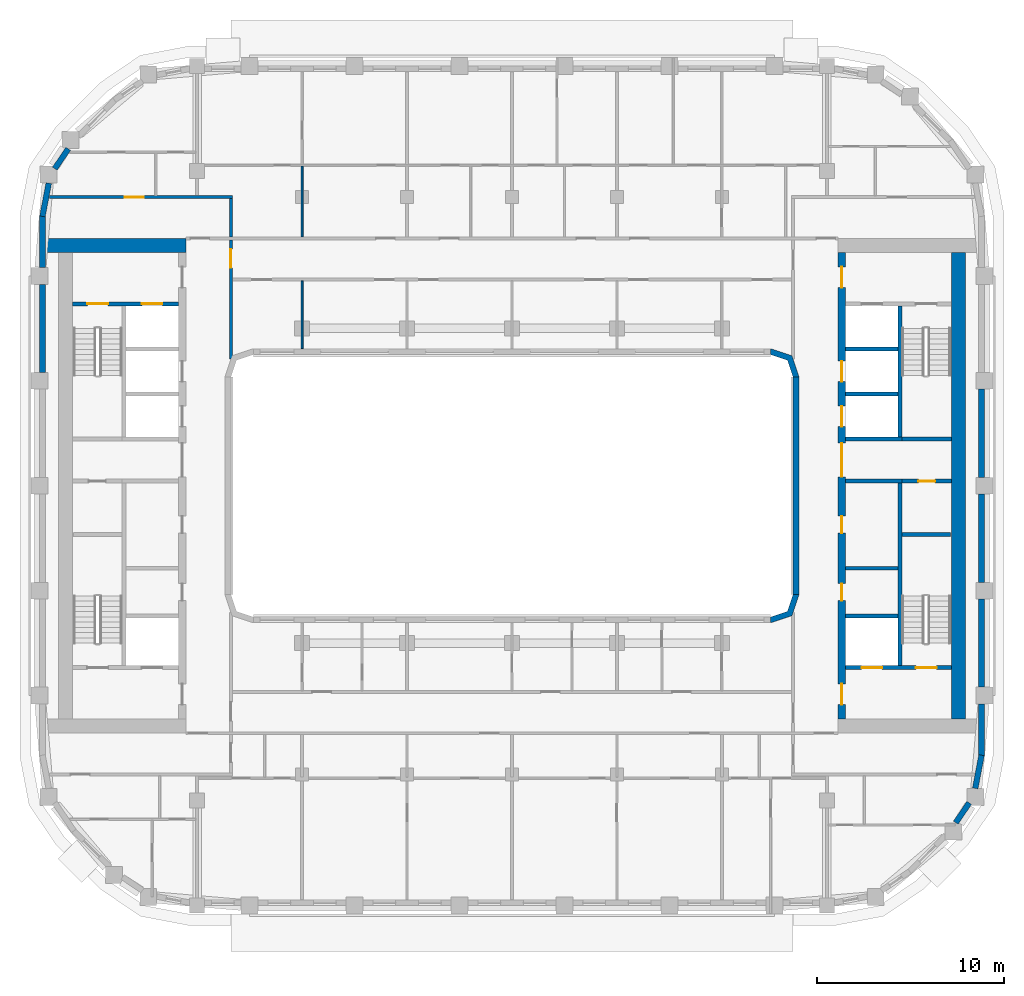
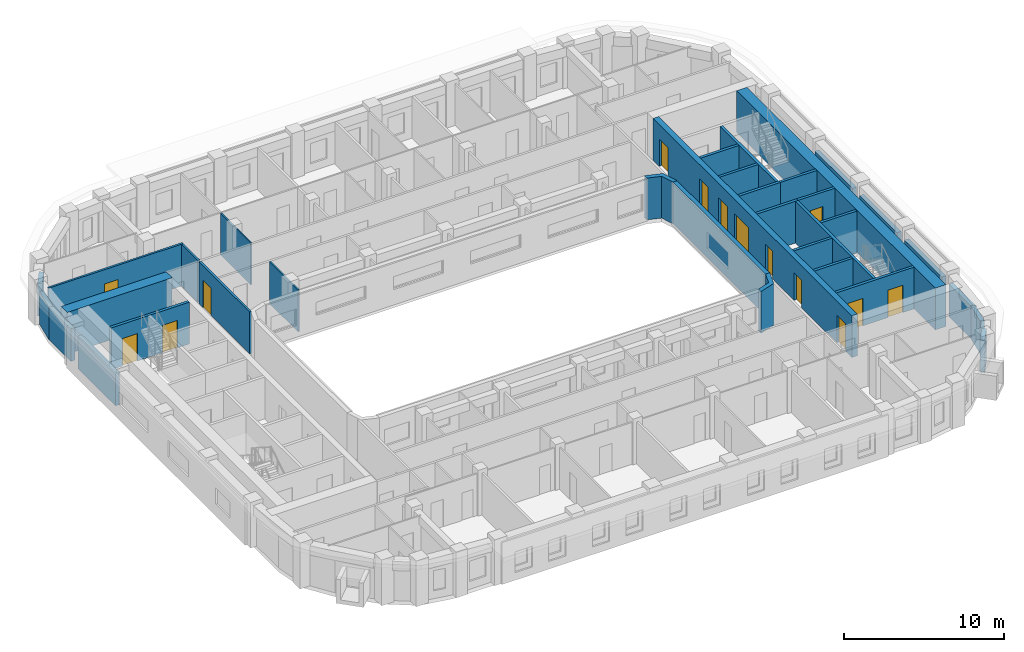
# One storey, part 6 of 21: 34 walls, 14 doors, 14 openings.
"""IFC4 building model written with IfcOpenShell, lengths in metres."""

from ifc_helpers import new_model, si_unit, direction, frame, frame_2d, origin, place, context, subcontext, project, spatial, polyline, rectangle, outline, extrude, material, layer, layer_set, type_object, element, fill, save


model = new_model("IFC4")

# Units and contexts
model_context = context("Model", 3, precision=1e-05, world=origin(), true_north=direction((0.0, 1.0)))
body_context = subcontext(model_context, "Body", "Model", "MODEL_VIEW")
ifc_project = project(units=[si_unit("LENGTHUNIT", "METRE"), si_unit("AREAUNIT", "SQUARE_METRE"), si_unit("VOLUMEUNIT", "CUBIC_METRE"), si_unit("PLANEANGLEUNIT", "RADIAN"), si_unit("MASSUNIT", "GRAM", prefix="KILO")], contexts=[model_context])

# Site, building, storey
site_placement = place(None, origin())
site = spatial("IfcSite", under=ifc_project, at=site_placement, CompositionType="ELEMENT")
building_placement = place(site_placement, origin())
building = spatial("IfcBuilding", under=site, at=building_placement, Name="Kiln Ring Residences", CompositionType="ELEMENT")
storey_placement = place(building_placement, frame((0.0, 0.0, 195.89990234375)))
storey = spatial("IfcBuildingStorey", under=building, at=storey_placement, Name="L50", CompositionType="ELEMENT", Elevation=195.89990234375)

# Wall, opening, door
ifc_material_1 = material(Name="Gypsum board on steel studs", Category="steel")
ifc_layer_1 = layer(ifc_material_1, 0.199951171875)
ifc_layer_set_1 = layer_set([ifc_layer_1], Name="CORE-PARTITION-200")
wall_type_1 = type_object("IfcWallType", Name="CORE-PARTITION-200", PredefinedType="PARTITIONING", material=ifc_layer_set_1)
wall_1_placement = place(storey_placement, frame((20.800048828125, 0.25, 0.0), z_axis=(0.0, 0.0, 1.0), x_axis=(1.0, 0.0, 0.0)))
wall_1 = element("IfcWall", 1, at=wall_1_placement, inside=storey, type_object=wall_type_1, Name="Core partition east L50 1", PredefinedType="PARTITIONING", context=body_context, shape_type="SweptSolid", body=[
    extrude(rectangle(XDim=2.64990234375, YDim=0.199951171875, at=frame_2d((1.324951171875, 0.0))), origin(), (0.0, 0.0, 1.0), 3.2001953125),
])
opening_1_placement = place(wall_1_placement, frame((0.875, 0.0, 0.0)))
opening_1 = element("IfcOpeningElement", 2, at=opening_1_placement, cuts=wall_1, Name="Opening L50-CE12", PredefinedType="OPENING", context=body_context, shape_type="SweptSolid", body=[
    extrude(rectangle(XDim=0.89990234375, YDim=2.10009765625, at=frame_2d((0.449951171875, 1.050048828125))), frame((0.0, 0.10986328125, 0.0), z_axis=(0.0, -1.0, 0.0), x_axis=(1.0, 0.0, 0.0)), (0.0, 0.0, 1.0), 0.219970703125),
])
ifc_material_2 = material(Name="Steel door leaf", Category="steel")
door_type_1 = type_object("IfcDoorType", Name="CORE-DOOR-ROOM", OperationType="SINGLE_SWING_LEFT", PredefinedType="DOOR", material=ifc_material_2)
door_1_placement = place(opening_1_placement, origin())
door_1 = element("IfcDoor", 3, at=door_1_placement, inside=storey, type_object=door_type_1, Name="Electrical riser room L50-CE12", OperationType="SINGLE_SWING_LEFT", OverallHeight=2.10009765625, OverallWidth=0.89990234375, PredefinedType="DOOR", context=body_context, shape_type="SweptSolid", body=[
    extrude(rectangle(XDim=0.89990234375, YDim=2.10009765625, at=frame_2d((0.449951171875, 1.050048828125))), frame((0.0, 0.02490234375, 0.0), z_axis=(0.0, -1.0, 0.0), x_axis=(1.0, 0.0, 0.0)), (0.0, 0.0, 1.0), 0.050048828125),
])
fill(opening_1, door_1)

# Walls
wall_2_placement = place(storey_placement, frame((17.800048828125, -4.39990234375, 0.0), z_axis=(0.0, 0.0, 1.0), x_axis=(1.0, 0.0, 0.0)))
element("IfcWall", 4, at=wall_2_placement, inside=storey, type_object=wall_type_1, Name="Core partition east L50 2", PredefinedType="PARTITIONING", context=body_context, shape_type="SweptSolid", body=[
    extrude(rectangle(XDim=2.800048828125, YDim=0.199951171875, at=frame_2d((1.39990234375, 0.0))), origin(), (0.0, 0.0, 1.0), 3.2001953125),
])
ifc_material_3 = material(Name="Gypsum shaft wall system")
ifc_layer_2 = layer(ifc_material_3, 0.199951171875)
ifc_layer_set_2 = layer_set([ifc_layer_2], Name="CORE-SHAFT-WALL-200")
wall_type_2 = type_object("IfcWallType", Name="CORE-SHAFT-WALL-200", PredefinedType="PARTITIONING", material=ifc_layer_set_2)
wall_3_placement = place(storey_placement, frame((17.800048828125, -6.949951171875, 0.0), z_axis=(0.0, 0.0, 1.0), x_axis=(1.0, 0.0, 0.0)))
element("IfcWall", 5, at=wall_3_placement, inside=storey, type_object=wall_type_2, Name="Core partition east L50 3", PredefinedType="PARTITIONING", context=body_context, shape_type="SweptSolid", body=[
    extrude(rectangle(XDim=2.800048828125, YDim=0.199951171875, at=frame_2d((1.39990234375, 0.0))), origin(), (0.0, 0.0, 1.0), 3.2001953125),
])
for number, where, z_axis, x_axis, name in (
    (6, (17.800048828125, 0.25, 0.0), (0.0, 0.0, 1.0), (1.0, 0.0, 0.0), "Core partition east L50 4"),
    (7, (17.800048828125, 2.5, 0.0), (0.0, 0.0, 1.0), (1.0, 0.0, 0.0), "Core partition east L50 5"),
):
    element("IfcWall", number, at=place(storey_placement, frame(where, z_axis=z_axis, x_axis=x_axis)), inside=storey, type_object=wall_type_2, Name=name, PredefinedType="PARTITIONING", context=body_context, shape_type="SweptSolid", body=[
        extrude(rectangle(XDim=3.0, YDim=0.199951171875, at=frame_2d((1.5, 0.0))), origin(), (0.0, 0.0, 1.0), 3.2001953125),
    ])
for number, where, z_axis, x_axis, name in (
    (8, (17.800048828125, 4.89990234375, 0.0), (0.0, 0.0, 1.0), (1.0, 0.0, 0.0), "Core partition east L50 6"),
    (9, (17.800048828125, 7.300048828125, 0.0), (0.0, 0.0, 1.0), (1.0, 0.0, 0.0), "Core partition east L50 7"),
):
    element("IfcWall", number, at=place(storey_placement, frame(where, z_axis=z_axis, x_axis=x_axis)), inside=storey, type_object=wall_type_2, Name=name, PredefinedType="PARTITIONING", context=body_context, shape_type="SweptSolid", body=[
        extrude(rectangle(XDim=2.800048828125, YDim=0.199951171875, at=frame_2d((1.39990234375, 0.0))), origin(), (0.0, 0.0, 1.0), 3.2001953125),
    ])

# Wall, openings, doors
ifc_material_4 = material(Name="Concrete C40/50", Category="concrete")
ifc_layer_3 = layer(ifc_material_4, 0.199951171875)
ifc_layer_set_3 = layer_set([ifc_layer_3], Name="CORE-WALL-RC200")
wall_type_3 = type_object("IfcWallType", Name="CORE-WALL-RC200", PredefinedType="SHEAR", material=ifc_layer_set_3)
wall_4_placement = place(storey_placement, frame((-17.800048828125, 9.699951171875, 0.0), z_axis=(0.0, 0.0, 1.0), x_axis=(-1.0, 0.0, 0.0)))
wall_4 = element("IfcWall", 10, at=wall_4_placement, inside=storey, type_object=wall_type_3, Name="Core wall west L50 9", PredefinedType="SHEAR", context=body_context, shape_type="SweptSolid", body=[
    extrude(rectangle(XDim=5.64990234375, YDim=0.199951171875, at=frame_2d((2.824951171875, 0.0))), origin(), (0.0, 0.0, 1.0), 3.2001953125),
])
opening_2_placement = place(wall_4_placement, frame((0.85009765625, 0.0, 0.0)))
opening_2 = element("IfcOpeningElement", 11, at=opening_2_placement, cuts=wall_4, Name="Opening L50-CW06", PredefinedType="OPENING", context=body_context, shape_type="SweptSolid", body=[
    extrude(rectangle(XDim=1.10009765625, YDim=2.10009765625, at=frame_2d((0.550048828125, 1.050048828125))), frame((0.0, 0.10986328125, 0.0), z_axis=(0.0, -1.0, 0.0), x_axis=(1.0, 0.0, 0.0)), (0.0, 0.0, 1.0), 0.219970703125),
])
opening_3_placement = place(wall_4_placement, frame((3.75, 0.0, 0.0)))
opening_3 = element("IfcOpeningElement", 12, at=opening_3_placement, cuts=wall_4, Name="Opening L50-CW09", PredefinedType="OPENING", context=body_context, shape_type="SweptSolid", body=[
    extrude(rectangle(XDim=1.10009765625, YDim=2.10009765625, at=frame_2d((0.550048828125, 1.050048828125))), frame((0.0, 0.10986328125, 0.0), z_axis=(0.0, -1.0, 0.0), x_axis=(1.0, 0.0, 0.0)), (0.0, 0.0, 1.0), 0.219970703125),
])
ifc_material_5 = material(Name="Steel door leaf", Category="steel")
door_type_2 = type_object("IfcDoorType", Name="CORE-DOOR-LD", OperationType="DOUBLE_DOOR_SLIDING", PredefinedType="DOOR", material=ifc_material_5)
door_2_placement = place(opening_2_placement, origin())
door_2 = element("IfcDoor", 13, at=door_2_placement, inside=storey, type_object=door_type_2, Name="LD W-FF L50-CW06", OperationType="DOUBLE_DOOR_SLIDING", OverallHeight=2.10009765625, OverallWidth=1.10009765625, PredefinedType="DOOR", context=body_context, shape_type="SweptSolid", body=[
    extrude(rectangle(XDim=1.10009765625, YDim=2.10009765625, at=frame_2d((0.550048828125, 1.050048828125))), frame((0.0, 0.02490234375, 0.0), z_axis=(0.0, -1.0, 0.0), x_axis=(1.0, 0.0, 0.0)), (0.0, 0.0, 1.0), 0.050048828125),
])
fill(opening_2, door_2)
ifc_material_6 = material(Name="Steel door leaf", Category="steel")
door_type_3 = type_object("IfcDoorType", Name="CORE-DOOR-STAIR", OperationType="SINGLE_SWING_LEFT", PredefinedType="DOOR", material=ifc_material_6)
door_3_placement = place(opening_3_placement, origin())
door_3 = element("IfcDoor", 14, at=door_3_placement, inside=storey, type_object=door_type_3, Name="Stair W-STN L50-CW09", OperationType="SINGLE_SWING_LEFT", OverallHeight=2.10009765625, OverallWidth=1.10009765625, PredefinedType="DOOR", context=body_context, shape_type="SweptSolid", body=[
    extrude(rectangle(XDim=1.10009765625, YDim=2.10009765625, at=frame_2d((0.550048828125, 1.050048828125))), frame((0.0, 0.02490234375, 0.0), z_axis=(0.0, -1.0, 0.0), x_axis=(1.0, 0.0, 0.0)), (0.0, 0.0, 1.0), 0.050048828125),
])
fill(opening_3, door_3)

# Walls
wall_5_placement = place(storey_placement, frame((20.699951171875, 2.60009765625, 0.0), z_axis=(0.0, 0.0, 1.0), x_axis=(0.0, 1.0, 0.0)))
element("IfcWall", 15, at=wall_5_placement, inside=storey, type_object=wall_type_3, Name="Core wall east L50 1", PredefinedType="SHEAR", context=body_context, shape_type="SweptSolid", body=[
    extrude(rectangle(XDim=7.0, YDim=0.199951171875, at=frame_2d((3.5, 0.0))), origin(), (0.0, 0.0, 1.0), 3.2001953125),
])
wall_6_placement = place(storey_placement, frame((20.699951171875, -9.60009765625, 0.0), z_axis=(0.0, 0.0, 1.0), x_axis=(0.0, 1.0, 0.0)))
element("IfcWall", 16, at=wall_6_placement, inside=storey, type_object=wall_type_3, Name="Core wall east L50 2", PredefinedType="SHEAR", context=body_context, shape_type="SweptSolid", body=[
    extrude(rectangle(XDim=9.75, YDim=0.199951171875, at=frame_2d((4.875, 0.0))), origin(), (0.0, 0.0, 1.0), 3.2001953125),
])
wall_7_placement = place(storey_placement, frame((20.800048828125, 2.5, 0.0), z_axis=(0.0, 0.0, 1.0), x_axis=(1.0, 0.0, 0.0)))
element("IfcWall", 17, at=wall_7_placement, inside=storey, type_object=wall_type_3, Name="Core wall east L50 3", PredefinedType="SHEAR", context=body_context, shape_type="SweptSolid", body=[
    extrude(rectangle(XDim=2.64990234375, YDim=0.199951171875, at=frame_2d((1.324951171875, 0.0))), origin(), (0.0, 0.0, 1.0), 3.2001953125),
])

# Wall, openings, doors
wall_8_placement = place(storey_placement, frame((17.800048828125, -9.699951171875, 0.0), z_axis=(0.0, 0.0, 1.0), x_axis=(1.0, 0.0, 0.0)))
wall_8 = element("IfcWall", 18, at=wall_8_placement, inside=storey, type_object=wall_type_3, Name="Core wall east L50 8", PredefinedType="SHEAR", context=body_context, shape_type="SweptSolid", body=[
    extrude(rectangle(XDim=5.64990234375, YDim=0.199951171875, at=frame_2d((2.824951171875, 0.0))), origin(), (0.0, 0.0, 1.0), 3.2001953125),
])
opening_4_placement = place(wall_8_placement, frame((0.85009765625, 0.0, 0.0)))
opening_4 = element("IfcOpeningElement", 19, at=opening_4_placement, cuts=wall_8, Name="Opening L50-CE01", PredefinedType="OPENING", context=body_context, shape_type="SweptSolid", body=[
    extrude(rectangle(XDim=1.10009765625, YDim=2.10009765625, at=frame_2d((0.550048828125, 1.050048828125))), frame((0.0, 0.10986328125, 0.0), z_axis=(0.0, -1.0, 0.0), x_axis=(1.0, 0.0, 0.0)), (0.0, 0.0, 1.0), 0.219970703125),
])
opening_5_placement = place(wall_8_placement, frame((3.75, 0.0, 0.0)))
opening_5 = element("IfcOpeningElement", 20, at=opening_5_placement, cuts=wall_8, Name="Opening L50-CE10", PredefinedType="OPENING", context=body_context, shape_type="SweptSolid", body=[
    extrude(rectangle(XDim=1.10009765625, YDim=2.10009765625, at=frame_2d((0.550048828125, 1.050048828125))), frame((0.0, 0.10986328125, 0.0), z_axis=(0.0, -1.0, 0.0), x_axis=(1.0, 0.0, 0.0)), (0.0, 0.0, 1.0), 0.219970703125),
])
door_4_placement = place(opening_4_placement, origin())
door_4 = element("IfcDoor", 21, at=door_4_placement, inside=storey, type_object=door_type_2, Name="LD E-SV L50-CE01", OperationType="DOUBLE_DOOR_SLIDING", OverallHeight=2.10009765625, OverallWidth=1.10009765625, PredefinedType="DOOR", context=body_context, shape_type="SweptSolid", body=[
    extrude(rectangle(XDim=1.10009765625, YDim=2.10009765625, at=frame_2d((0.550048828125, 1.050048828125))), frame((0.0, 0.02490234375, 0.0), z_axis=(0.0, -1.0, 0.0), x_axis=(1.0, 0.0, 0.0)), (0.0, 0.0, 1.0), 0.050048828125),
])
fill(opening_4, door_4)
door_5_placement = place(opening_5_placement, origin())
door_5 = element("IfcDoor", 22, at=door_5_placement, inside=storey, type_object=door_type_3, Name="Stair E-STS L50-CE10", OperationType="SINGLE_SWING_RIGHT", OverallHeight=2.10009765625, OverallWidth=1.10009765625, PredefinedType="DOOR", context=body_context, shape_type="SweptSolid", body=[
    extrude(rectangle(XDim=1.10009765625, YDim=2.10009765625, at=frame_2d((0.550048828125, 1.050048828125))), frame((0.0, 0.02490234375, 0.0), z_axis=(0.0, -1.0, 0.0), x_axis=(1.0, 0.0, 0.0)), (0.0, 0.0, 1.0), 0.050048828125),
])
fill(opening_5, door_5)

# Wall
wall_9_placement = place(storey_placement, frame((20.800048828125, -2.60009765625, 0.0), z_axis=(0.0, 0.0, 1.0), x_axis=(1.0, 0.0, 0.0)))
element("IfcWall", 23, at=wall_9_placement, inside=storey, type_object=wall_type_3, Name="Core wall east L50 10", PredefinedType="SHEAR", context=body_context, shape_type="SweptSolid", body=[
    extrude(rectangle(XDim=2.599853515625, YDim=0.199951171875, at=frame_2d((1.2998046875, 0.0))), origin(), (0.0, 0.0, 1.0), 3.2001953125),
])

# Wall, openings, doors
ifc_material_7 = material(Name="Concrete C60/75", Category="concrete")
ifc_layer_4 = layer(ifc_material_7, 0.39990234375)
ifc_layer_set_4 = layer_set([ifc_layer_4], Name="CORE-WALL-RC400")
wall_type_4 = type_object("IfcWallType", Name="CORE-WALL-RC400", PredefinedType="SHEAR", material=ifc_layer_set_4)
wall_10_placement = place(storey_placement, frame((17.60009765625, -12.449951171875, 0.0), z_axis=(0.0, 0.0, 1.0), x_axis=(0.0, 1.0, 0.0)))
wall_10 = element("IfcWall", 24, at=wall_10_placement, inside=storey, type_object=wall_type_4, Name="Core wall east L50 6", PredefinedType="SHEAR", context=body_context, shape_type="SweptSolid", body=[
    extrude(rectangle(XDim=24.89990234375, YDim=0.39990234375, at=frame_2d((12.449951171875, 0.0))), origin(), (0.0, 0.0, 1.0), 3.2001953125),
])
opening_6_placement = place(wall_10_placement, frame((6.324951171875, 0.0, 0.0)))
opening_6 = element("IfcOpeningElement", 25, at=opening_6_placement, cuts=wall_10, Name="Opening L50-CE02", PredefinedType="OPENING", context=body_context, shape_type="SweptSolid", body=[
    extrude(rectangle(XDim=0.89990234375, YDim=2.10009765625, at=frame_2d((0.449951171875, 1.050048828125))), frame((0.0, 0.2099609375, 0.0), z_axis=(0.0, -1.0, 0.0), x_axis=(1.0, 0.0, 0.0)), (0.0, 0.0, 1.0), 0.419921875),
])
opening_7_placement = place(wall_10_placement, frame((9.925048828125, 0.0, 0.0)))
opening_7 = element("IfcOpeningElement", 26, at=opening_7_placement, cuts=wall_10, Name="Opening L50-CE03", PredefinedType="OPENING", context=body_context, shape_type="SweptSolid", body=[
    extrude(rectangle(XDim=0.89990234375, YDim=2.10009765625, at=frame_2d((0.449951171875, 1.050048828125))), frame((0.0, 0.2099609375, 0.0), z_axis=(0.0, -1.0, 0.0), x_axis=(1.0, 0.0, 0.0)), (0.0, 0.0, 1.0), 0.419921875),
])
opening_8_placement = place(wall_10_placement, frame((15.60009765625, 0.0, 0.0)))
opening_8 = element("IfcOpeningElement", 27, at=opening_8_placement, cuts=wall_10, Name="Opening L50-CE04", PredefinedType="OPENING", context=body_context, shape_type="SweptSolid", body=[
    extrude(rectangle(XDim=1.10009765625, YDim=2.10009765625, at=frame_2d((0.550048828125, 1.050048828125))), frame((0.0, 0.2099609375, 0.0), z_axis=(0.0, -1.0, 0.0), x_axis=(1.0, 0.0, 0.0)), (0.0, 0.0, 1.0), 0.419921875),
])
opening_9_placement = place(wall_10_placement, frame((18.0, 0.0, 0.0)))
opening_9 = element("IfcOpeningElement", 28, at=opening_9_placement, cuts=wall_10, Name="Opening L50-CE05", PredefinedType="OPENING", context=body_context, shape_type="SweptSolid", body=[
    extrude(rectangle(XDim=1.10009765625, YDim=2.10009765625, at=frame_2d((0.550048828125, 1.050048828125))), frame((0.0, 0.2099609375, 0.0), z_axis=(0.0, -1.0, 0.0), x_axis=(1.0, 0.0, 0.0)), (0.0, 0.0, 1.0), 0.419921875),
])
opening_10_placement = place(wall_10_placement, frame((23.02490234375, 0.0, 0.0)))
opening_10 = element("IfcOpeningElement", 29, at=opening_10_placement, cuts=wall_10, Name="Opening L50-CE07", PredefinedType="OPENING", context=body_context, shape_type="SweptSolid", body=[
    extrude(rectangle(XDim=1.10009765625, YDim=2.10009765625, at=frame_2d((0.550048828125, 1.050048828125))), frame((0.0, 0.2099609375, 0.0), z_axis=(0.0, -1.0, 0.0), x_axis=(1.0, 0.0, 0.0)), (0.0, 0.0, 1.0), 0.419921875),
])
opening_11_placement = place(wall_10_placement, frame((0.77490234375, 0.0, 0.0)))
opening_11 = element("IfcOpeningElement", 30, at=opening_11_placement, cuts=wall_10, Name="Opening L50-CE08", PredefinedType="OPENING", context=body_context, shape_type="SweptSolid", body=[
    extrude(rectangle(XDim=1.10009765625, YDim=2.10009765625, at=frame_2d((0.550048828125, 1.050048828125))), frame((0.0, 0.2099609375, 0.0), z_axis=(0.0, -1.0, 0.0), x_axis=(1.0, 0.0, 0.0)), (0.0, 0.0, 1.0), 0.419921875),
])
opening_12_placement = place(wall_10_placement, frame((12.925048828125, 0.0, 0.0)))
opening_12 = element("IfcOpeningElement", 31, at=opening_12_placement, cuts=wall_10, Name="Opening L50-CE11", PredefinedType="OPENING", context=body_context, shape_type="SweptSolid", body=[
    extrude(rectangle(XDim=1.800048828125, YDim=2.10009765625, at=frame_2d((0.89990234375, 1.050048828125))), frame((0.0, 0.2099609375, 0.0), z_axis=(0.0, -1.0, 0.0), x_axis=(1.0, 0.0, 0.0)), (0.0, 0.0, 1.0), 0.419921875),
])
door_6_placement = place(opening_8_placement, origin())
door_6 = element("IfcDoor", 32, at=door_6_placement, inside=storey, type_object=door_type_2, Name="LD E-M1 L50-CE04", OperationType="DOUBLE_DOOR_SLIDING", OverallHeight=2.10009765625, OverallWidth=1.10009765625, PredefinedType="DOOR", context=body_context, shape_type="SweptSolid", body=[
    extrude(rectangle(XDim=1.10009765625, YDim=2.10009765625, at=frame_2d((0.550048828125, 1.050048828125))), frame((0.0, 0.02490234375, 0.0), z_axis=(0.0, -1.0, 0.0), x_axis=(1.0, 0.0, 0.0)), (0.0, 0.0, 1.0), 0.050048828125),
])
fill(opening_8, door_6)
door_7_placement = place(opening_9_placement, origin())
door_7 = element("IfcDoor", 33, at=door_7_placement, inside=storey, type_object=door_type_2, Name="LD E-M2 L50-CE05", OperationType="DOUBLE_DOOR_SLIDING", OverallHeight=2.10009765625, OverallWidth=1.10009765625, PredefinedType="DOOR", context=body_context, shape_type="SweptSolid", body=[
    extrude(rectangle(XDim=1.10009765625, YDim=2.10009765625, at=frame_2d((0.550048828125, 1.050048828125))), frame((0.0, 0.02490234375, 0.0), z_axis=(0.0, -1.0, 0.0), x_axis=(1.0, 0.0, 0.0)), (0.0, 0.0, 1.0), 0.050048828125),
])
fill(opening_9, door_7)
ifc_material_8 = material(Name="Steel door leaf", Category="steel")
door_type_4 = type_object("IfcDoorType", Name="CORE-DOOR-LOBBY", OperationType="SINGLE_SWING_LEFT", PredefinedType="DOOR", material=ifc_material_8)
door_8_placement = place(opening_10_placement, origin())
door_8 = element("IfcDoor", 34, at=door_8_placement, inside=storey, type_object=door_type_4, Name="FFL L50-CE07", OperationType="SINGLE_SWING_LEFT", OverallHeight=2.10009765625, OverallWidth=1.10009765625, PredefinedType="DOOR", context=body_context, shape_type="SweptSolid", body=[
    extrude(rectangle(XDim=1.10009765625, YDim=2.10009765625, at=frame_2d((0.550048828125, 1.050048828125))), frame((0.0, 0.02490234375, 0.0), z_axis=(0.0, -1.0, 0.0), x_axis=(1.0, 0.0, 0.0)), (0.0, 0.0, 1.0), 0.050048828125),
])
fill(opening_10, door_8)
door_9_placement = place(opening_11_placement, origin())
door_9 = element("IfcDoor", 35, at=door_9_placement, inside=storey, type_object=door_type_4, Name="SVL L50-CE08", OperationType="SINGLE_SWING_RIGHT", OverallHeight=2.10009765625, OverallWidth=1.10009765625, PredefinedType="DOOR", context=body_context, shape_type="SweptSolid", body=[
    extrude(rectangle(XDim=1.10009765625, YDim=2.10009765625, at=frame_2d((0.550048828125, 1.050048828125))), frame((0.0, 0.02490234375, 0.0), z_axis=(0.0, -1.0, 0.0), x_axis=(1.0, 0.0, 0.0)), (0.0, 0.0, 1.0), 0.050048828125),
])
fill(opening_11, door_9)
ifc_material_9 = material(Name="Steel door leaf", Category="steel")
door_type_5 = type_object("IfcDoorType", Name="CORE-DOOR-PASS", OperationType="DOUBLE_DOOR_SINGLE_SWING", PredefinedType="DOOR", material=ifc_material_9)
door_10_placement = place(opening_12_placement, origin())
door_10 = element("IfcDoor", 36, at=door_10_placement, inside=storey, type_object=door_type_5, Name="Core passage L50-CE11", OperationType="DOUBLE_DOOR_SINGLE_SWING", OverallHeight=2.10009765625, OverallWidth=1.800048828125, PredefinedType="DOOR", context=body_context, shape_type="SweptSolid", body=[
    extrude(rectangle(XDim=1.800048828125, YDim=2.10009765625, at=frame_2d((0.89990234375, 1.050048828125))), frame((0.0, 0.02490234375, 0.0), z_axis=(0.0, -1.0, 0.0), x_axis=(1.0, 0.0, 0.0)), (0.0, 0.0, 1.0), 0.050048828125),
])
fill(opening_12, door_10)
door_11_placement = place(opening_6_placement, origin())
door_11 = element("IfcDoor", 37, at=door_11_placement, inside=storey, type_object=door_type_1, Name="Goods store L50-CE02", OperationType="SINGLE_SWING_LEFT", OverallHeight=2.10009765625, OverallWidth=0.89990234375, PredefinedType="DOOR", context=body_context, shape_type="SweptSolid", body=[
    extrude(rectangle(XDim=0.89990234375, YDim=2.10009765625, at=frame_2d((0.449951171875, 1.050048828125))), frame((0.0, 0.02490234375, 0.0), z_axis=(0.0, -1.0, 0.0), x_axis=(1.0, 0.0, 0.0)), (0.0, 0.0, 1.0), 0.050048828125),
])
fill(opening_6, door_11)
door_12_placement = place(opening_7_placement, origin())
door_12 = element("IfcDoor", 38, at=door_12_placement, inside=storey, type_object=door_type_1, Name="Storage room L50-CE03", OperationType="SINGLE_SWING_RIGHT", OverallHeight=2.10009765625, OverallWidth=0.89990234375, PredefinedType="DOOR", context=body_context, shape_type="SweptSolid", body=[
    extrude(rectangle(XDim=0.89990234375, YDim=2.10009765625, at=frame_2d((0.449951171875, 1.050048828125))), frame((0.0, 0.02490234375, 0.0), z_axis=(0.0, -1.0, 0.0), x_axis=(1.0, 0.0, 0.0)), (0.0, 0.0, 1.0), 0.050048828125),
])
fill(opening_7, door_12)

# Walls
ifc_material_10 = material(Name="Concrete C60/75", Category="concrete")
ifc_layer_5 = layer(ifc_material_10, 0.75)
ifc_layer_set_5 = layer_set([ifc_layer_5], Name="CORE-WALL-RC750")
wall_type_5 = type_object("IfcWallType", Name="CORE-WALL-RC750", PredefinedType="SHEAR", material=ifc_layer_set_5)
wall_11_placement = place(storey_placement, frame((-17.39990234375, 12.824951171875, 0.0), z_axis=(0.0, 0.0, 1.0), x_axis=(-1.0, 0.0, 0.0)))
element("IfcWall", 39, at=wall_11_placement, inside=storey, type_object=wall_type_5, Name="Core wall west L50 4", PredefinedType="SHEAR", context=body_context, shape_type="SweptSolid", body=[
    extrude(rectangle(XDim=7.60009765625, YDim=0.75, at=frame_2d((3.800048828125, 0.0))), origin(), (0.0, 0.0, 1.0), 3.2001953125),
])
wall_12_placement = place(storey_placement, frame((23.824951171875, -12.449951171875, 0.0), z_axis=(0.0, 0.0, 1.0), x_axis=(0.0, 1.0, 0.0)))
element("IfcWall", 40, at=wall_12_placement, inside=storey, type_object=wall_type_5, Name="Core wall east L50 7", PredefinedType="SHEAR", context=body_context, shape_type="SweptSolid", body=[
    extrude(rectangle(XDim=24.89990234375, YDim=0.75, at=frame_2d((12.449951171875, 0.0))), origin(), (0.0, 0.0, 1.0), 3.2001953125),
])
ifc_material_11 = material(Name="Brick masonry, dark clay brick", Category="masonry")
ifc_layer_6 = layer(ifc_material_11, 0.300048828125)
ifc_layer_set_6 = layer_set([ifc_layer_6], Name="EW-300 BRICK WALL")
wall_type_6 = type_object("IfcWallType", Name="EW-300 BRICK WALL", PredefinedType="SOLIDWALL", material=ifc_layer_set_6)
wall_13_placement = place(storey_placement, frame((23.67626953125, -17.975341796875, 0.0), z_axis=(0.0, 0.0, 1.0), x_axis=(0.56200149592, 0.827136215253, 0.0)))
element("IfcWall", 41, at=wall_13_placement, inside=storey, type_object=wall_type_6, Name="Facade wall L50 14", PredefinedType="SOLIDWALL", context=body_context, shape_type="SweptSolid", body=[
    extrude(rectangle(XDim=1.277099609375, YDim=0.300048828125, at=frame_2d((0.638671875, 0.0))), origin(), (0.0, 0.0, 1.0), 2.5),
])
wall_14_placement = place(storey_placement, frame((24.71435546875, -16.14599609375, 0.0), z_axis=(0.0, 0.0, 1.0), x_axis=(0.187348135549, 0.982293579388, 0.0)))
element("IfcWall", 42, at=wall_14_placement, inside=storey, type_object=wall_type_6, Name="Facade wall L50 15", PredefinedType="SOLIDWALL", context=body_context, shape_type="SweptSolid", body=[
    extrude(rectangle(XDim=1.80615234375, YDim=0.300048828125, at=frame_2d((0.903076171875, 0.0))), origin(), (0.0, 0.0, 1.0), 2.5),
])
wall_15_placement = place(storey_placement, frame((25.050048828125, -14.39990234375, 0.0), z_axis=(0.0, 0.0, 1.0), x_axis=(0.0, 1.0, 0.0)))
element("IfcWall", 43, at=wall_15_placement, inside=storey, type_object=wall_type_6, Name="Facade wall L50 16", PredefinedType="SOLIDWALL", context=body_context, shape_type="SweptSolid", body=[
    extrude(rectangle(XDim=2.75, YDim=0.300048828125, at=frame_2d((1.375, 0.0))), origin(), (0.0, 0.0, 1.0), 2.5),
])
for number, where, z_axis, x_axis, name in (
    (44, (25.050048828125, -10.75, 0.0), (0.0, 0.0, 1.0), (0.0, 1.0, 0.0), "Facade wall L50 17"),
    (45, (25.050048828125, -5.14990234375, 0.0), (0.0, 0.0, 1.0), (0.0, 1.0, 0.0), "Facade wall L50 18"),
    (46, (25.050048828125, 0.449951171875, 0.0), (0.0, 0.0, 1.0), (0.0, 1.0, 0.0), "Facade wall L50 19"),
):
    element("IfcWall", number, at=place(storey_placement, frame(where, z_axis=z_axis, x_axis=x_axis)), inside=storey, type_object=wall_type_6, Name=name, PredefinedType="SOLIDWALL", context=body_context, shape_type="SweptSolid", body=[
        extrude(rectangle(XDim=4.699951171875, YDim=0.300048828125, at=frame_2d((2.35009765625, 0.0))), origin(), (0.0, 0.0, 1.0), 2.5),
    ])
wall_16_placement = place(storey_placement, frame((-23.67626953125, 17.975341796875, 0.0), z_axis=(0.0, 0.0, 1.0), x_axis=(-0.56200149592, -0.827136215253, 0.0)))
element("IfcWall", 47, at=wall_16_placement, inside=storey, type_object=wall_type_6, Name="Facade wall L50 37", PredefinedType="SOLIDWALL", context=body_context, shape_type="SweptSolid", body=[
    extrude(rectangle(XDim=1.277099609375, YDim=0.300048828125, at=frame_2d((0.638671875, 0.0))), origin(), (0.0, 0.0, 1.0), 2.5),
])
wall_17_placement = place(storey_placement, frame((-24.71435546875, 16.14599609375, 0.0), z_axis=(0.0, 0.0, 1.0), x_axis=(-0.187348135549, -0.982293579388, 0.0)))
element("IfcWall", 48, at=wall_17_placement, inside=storey, type_object=wall_type_6, Name="Facade wall L50 38", PredefinedType="SOLIDWALL", context=body_context, shape_type="SweptSolid", body=[
    extrude(rectangle(XDim=1.80615234375, YDim=0.300048828125, at=frame_2d((0.903076171875, 0.0))), origin(), (0.0, 0.0, 1.0), 2.5),
])
wall_18_placement = place(storey_placement, frame((-25.050048828125, 14.39990234375, 0.0), z_axis=(0.0, 0.0, 1.0), x_axis=(0.0, -1.0, 0.0)))
element("IfcWall", 49, at=wall_18_placement, inside=storey, type_object=wall_type_6, Name="Facade wall L50 39", PredefinedType="SOLIDWALL", context=body_context, shape_type="SweptSolid", body=[
    extrude(rectangle(XDim=2.75, YDim=0.300048828125, at=frame_2d((1.375, 0.0))), origin(), (0.0, 0.0, 1.0), 2.5),
])
wall_19_placement = place(storey_placement, frame((-25.050048828125, 10.75, 0.0), z_axis=(0.0, 0.0, 1.0), x_axis=(0.0, -1.0, 0.0)))
element("IfcWall", 50, at=wall_19_placement, inside=storey, type_object=wall_type_6, Name="Facade wall L50 40", PredefinedType="SOLIDWALL", context=body_context, shape_type="SweptSolid", body=[
    extrude(rectangle(XDim=4.699951171875, YDim=0.300048828125, at=frame_2d((2.35009765625, 0.0))), origin(), (0.0, 0.0, 1.0), 2.5),
])
wall_20_placement = place(storey_placement, frame((15.14990234375, 5.800048828125, 0.0), z_axis=(0.0, 0.0, 1.0), x_axis=(0.0, -1.0, 0.0)))
element("IfcWall", 51, at=wall_20_placement, inside=storey, type_object=wall_type_6, Name="Facade wall L50 49", PredefinedType="SOLIDWALL", context=body_context, shape_type="SweptSolid", body=[
    extrude(rectangle(XDim=11.60009765625, YDim=0.300048828125, at=frame_2d((5.800048828125, 0.0))), origin(), (0.0, 0.0, 1.0), 3.2001953125),
])
placement = place(storey_placement, origin())
element("IfcWall", 52, at=placement, inside=storey, type_object=wall_type_6, Name="Corner wall L50 2", PredefinedType="SOLIDWALL", context=body_context, shape_type="SweptSolid", body=[
    extrude(outline(polyline([(14.937255859375, 6.937255859375), (13.8486328125, 7.300048828125), (13.800048828125, 7.300048828125), (13.800048828125, 7.0), (14.699951171875, 6.699951171875), (15.0, 5.800048828125), (15.300048828125, 5.800048828125), (15.300048828125, 5.8486328125), (14.937255859375, 6.937255859375)])), origin(), (0.0, 0.0, 1.0), 3.2001953125),
])
element("IfcWall", 53, at=placement, inside=storey, type_object=wall_type_6, Name="Corner wall L50 3", PredefinedType="SOLIDWALL", context=body_context, shape_type="SweptSolid", body=[
    extrude(outline(polyline([(14.937255859375, -6.937255859375), (15.300048828125, -5.8486328125), (15.300048828125, -5.800048828125), (15.0, -5.800048828125), (14.699951171875, -6.699951171875), (13.800048828125, -7.0), (13.800048828125, -7.300048828125), (13.8486328125, -7.300048828125), (14.937255859375, -6.937255859375)])), origin(), (0.0, 0.0, 1.0), 3.2001953125),
])
ifc_material_12 = material(Name="Gypsum board on steel studs", Category="steel")
ifc_layer_7 = layer(ifc_material_12, 0.10009765625)
ifc_layer_set_7 = layer_set([ifc_layer_7], Name="PARTITION-100")
wall_type_7 = type_object("IfcWallType", Name="PARTITION-100", PredefinedType="PARTITIONING", material=ifc_layer_set_7)
wall_23_placement = place(storey_placement, frame((-11.199951171875, 7.320068359375, 0.0), z_axis=(0.0, 0.0, 1.0), x_axis=(0.0, 1.0, 0.0)))
element("IfcWall", 54, at=wall_23_placement, inside=storey, type_object=wall_type_7, Name="Partition 025", PredefinedType="PARTITIONING", context=body_context, shape_type="SweptSolid", body=[
    extrude(rectangle(XDim=3.60498046875, YDim=0.10009765625, at=frame_2d((1.802490234375, 0.0))), origin(), (0.0, 0.0, 1.0), 3.2001953125),
])
wall_24_placement = place(storey_placement, frame((-11.199951171875, 13.27490234375, 0.0), z_axis=(0.0, 0.0, 1.0), x_axis=(0.0, 1.0, 0.0)))
element("IfcWall", 55, at=wall_24_placement, inside=storey, type_object=wall_type_7, Name="Partition 026", PredefinedType="PARTITIONING", context=body_context, shape_type="SweptSolid", body=[
    extrude(rectangle(XDim=3.775146484375, YDim=0.10009765625, at=frame_2d((1.8876953125, 0.0))), origin(), (0.0, 0.0, 1.0), 3.2001953125),
])

# Wall, opening, door
ifc_material_13 = material(Name="Brick masonry partition", Category="masonry")
ifc_layer_8 = layer(ifc_material_13, 0.14990234375)
ifc_layer_set_8 = layer_set([ifc_layer_8], Name="PARTITION-150-ei60")
wall_type_8 = type_object("IfcWallType", Name="PARTITION-150-ei60", PredefinedType="PARTITIONING", material=ifc_layer_set_8)
wall_25_placement = place(storey_placement, frame((-24.683837890625, 15.39990234375, 0.0), z_axis=(0.0, 0.0, 1.0), x_axis=(1.0, 0.0, 0.0)))
wall_25 = element("IfcWall", 56, at=wall_25_placement, inside=storey, type_object=wall_type_8, Name="Partition 009", PredefinedType="PARTITIONING", context=body_context, shape_type="SweptSolid", body=[
    extrude(rectangle(XDim=9.7587890625, YDim=0.14990234375, at=frame_2d((4.87939453125, 0.0))), origin(), (0.0, 0.0, 1.0), 3.2001953125),
])
opening_13_placement = place(wall_25_placement, frame((4.03369140625, 0.0, 0.0)))
opening_13 = element("IfcOpeningElement", 57, at=opening_13_placement, cuts=wall_25, Name="Opening L50-D035", PredefinedType="OPENING", context=body_context, shape_type="SweptSolid", body=[
    extrude(rectangle(XDim=1.0, YDim=2.10009765625, at=frame_2d((0.5, 1.050048828125))), frame((0.0, 0.0849609375, 0.0), z_axis=(0.0, -1.0, 0.0), x_axis=(1.0, 0.0, 0.0)), (0.0, 0.0, 1.0), 0.169921875),
])
ifc_material_14 = material(Name="Steel faced fire door leaf", Category="steel")
door_type_6 = type_object("IfcDoorType", Name="FLAT-DOOR-1000-FR", OperationType="SINGLE_SWING_LEFT", PredefinedType="DOOR", material=ifc_material_14)
door_13_placement = place(opening_13_placement, origin())
door_13 = element("IfcDoor", 58, at=door_13_placement, inside=storey, type_object=door_type_6, Name="Door L50-D035", OperationType="SINGLE_SWING_LEFT", OverallHeight=2.10009765625, OverallWidth=1.0, PredefinedType="DOOR", context=body_context, shape_type="SweptSolid", body=[
    extrude(rectangle(XDim=1.0, YDim=2.10009765625, at=frame_2d((0.5, 1.050048828125))), frame((0.0, 0.02490234375, 0.0), z_axis=(0.0, -1.0, 0.0), x_axis=(1.0, 0.0, 0.0)), (0.0, 0.0, 1.0), 0.050048828125),
])
fill(opening_13, door_13)

wall_26_placement = place(storey_placement, frame((-15.0, 6.768798828125, 0.0), z_axis=(0.0, 0.0, 1.0), x_axis=(0.0, 1.0, 0.0)))
wall_26 = element("IfcWall", 59, at=wall_26_placement, inside=storey, type_object=wall_type_8, Name="Partition 021", PredefinedType="PARTITIONING", context=body_context, shape_type="SweptSolid", body=[
    extrude(rectangle(XDim=6.356201171875, YDim=0.14990234375, at=frame_2d((3.17822265625, 0.0))), origin(), (0.0, 0.0, 1.0), 3.2001953125),
])
opening_14_placement = place(wall_26_placement, frame((4.860107421875, 0.0, 0.0)))
opening_14 = element("IfcOpeningElement", 60, at=opening_14_placement, cuts=wall_26, Name="Opening L50-D001", PredefinedType="OPENING", context=body_context, shape_type="SweptSolid", body=[
    extrude(rectangle(XDim=1.0, YDim=2.10009765625, at=frame_2d((0.5, 1.050048828125))), frame((0.0, 0.0849609375, 0.0), z_axis=(0.0, -1.0, 0.0), x_axis=(1.0, 0.0, 0.0)), (0.0, 0.0, 1.0), 0.169921875),
])
door_14_placement = place(opening_14_placement, origin())
door_14 = element("IfcDoor", 61, at=door_14_placement, inside=storey, type_object=door_type_6, Name="Door L50-D001", OperationType="SINGLE_SWING_RIGHT", OverallHeight=2.10009765625, OverallWidth=1.0, PredefinedType="DOOR", context=body_context, shape_type="SweptSolid", body=[
    extrude(rectangle(XDim=1.0, YDim=2.10009765625, at=frame_2d((0.5, 1.050048828125))), frame((0.0, 0.02490234375, 0.0), z_axis=(0.0, -1.0, 0.0), x_axis=(1.0, 0.0, 0.0)), (0.0, 0.0, 1.0), 0.050048828125),
])
fill(opening_14, door_14)

# Wall
wall_27_placement = place(storey_placement, frame((-15.0, 13.27490234375, 0.0), z_axis=(0.0, 0.0, 1.0), x_axis=(0.0, 1.0, 0.0)))
element("IfcWall", 62, at=wall_27_placement, inside=storey, type_object=wall_type_8, Name="Partition 022", PredefinedType="PARTITIONING", context=body_context, shape_type="SweptSolid", body=[
    extrude(rectangle(XDim=2.050048828125, YDim=0.14990234375, at=frame_2d((1.02490234375, 0.0))), origin(), (0.0, 0.0, 1.0), 3.2001953125),
])

save(model, "model.ifc")
